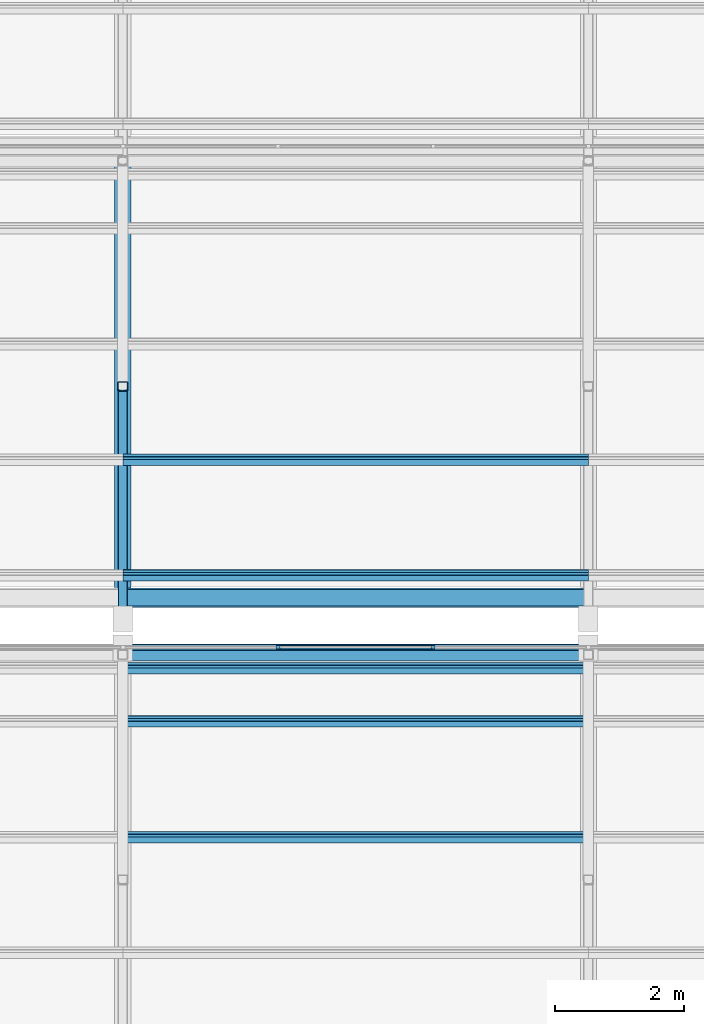
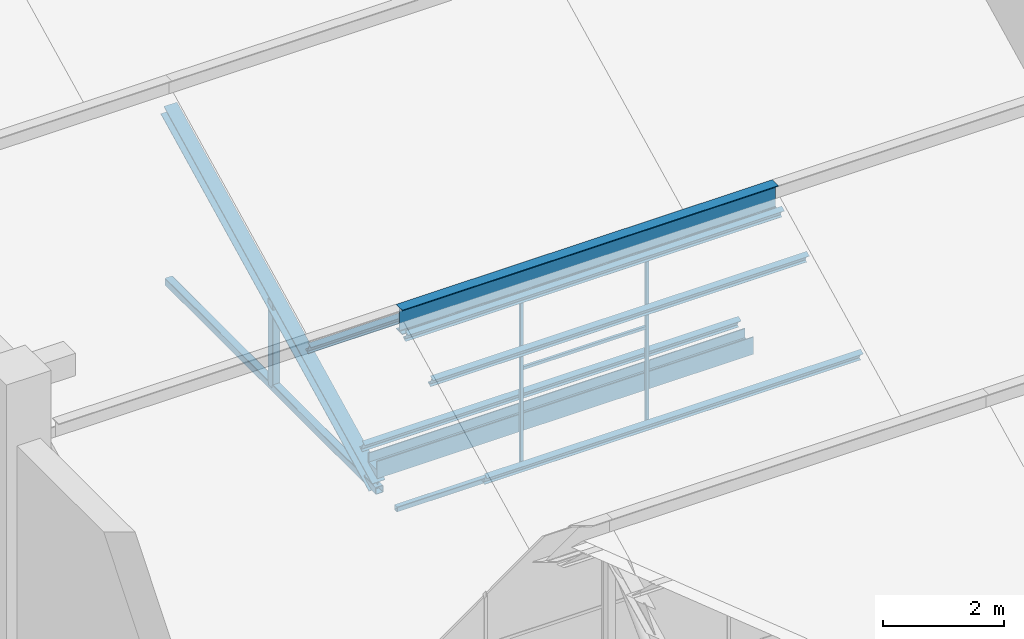
# One storey, part 34 of 83: 14 members, 1 element without a shape of its own.
"""IFC4 building model written with IfcOpenShell, lengths in metres."""

from ifc_helpers import new_model, si_unit, direction, frame, origin, origin_2d, place, context, subcontext, project, spatial, polyline, rectangle, hollow_rectangle, i_section, outline, extrude, material, material_profile, profile_set, type_object, element, aggregate, save


model = new_model("IFC4")

# Units and contexts
model_context = context("Model", 3, precision=1e-05, world=origin(), true_north=direction((0.0, 1.0)))
body_context = subcontext(model_context, "Body", "Model", "MODEL_VIEW")
ifc_project = project(units=[si_unit("LENGTHUNIT", "METRE"), si_unit("AREAUNIT", "SQUARE_METRE"), si_unit("VOLUMEUNIT", "CUBIC_METRE"), si_unit("PLANEANGLEUNIT", "RADIAN"), si_unit("MASSUNIT", "GRAM", prefix="KILO")], contexts=[model_context])

# Site, building, storey
site_placement = place(None, origin())
site = spatial("IfcSite", under=ifc_project, at=site_placement, CompositionType="ELEMENT")
building_placement = place(site_placement, origin())
building = spatial("IfcBuilding", under=site, at=building_placement, Name="Silangan Lancet Faculty of Sciences", CompositionType="ELEMENT")
storey_placement = place(building_placement, frame((0.0, 0.0, 11.39990234375)))
storey = spatial("IfcBuildingStorey", under=building, at=storey_placement, Name="L02", CompositionType="ELEMENT", Elevation=11.39990234375)

# Members
ifc_material_1 = material(Name="Steel SS400", Category="steel")
ifc_material_profile_1 = material_profile(ifc_material_1, i_section(OverallWidth=0.199951171875, OverallDepth=0.5, WebThickness=0.010009765625, FlangeThickness=0.01611328125, FilletRadius=0.02001953125, at=origin_2d()), Name="H 500x200x10x16")
ifc_profile_set_1 = profile_set([ifc_material_profile_1], Name="Steel SS400")
member_type_1 = type_object("IfcMemberType", Name="Exposed ridge beam H 500x200x10x16", PredefinedType="MEMBER", material=ifc_profile_set_1)
member_1_placement = place(storey_placement, frame((57.60009765625, 35.77001953125, 3.93701171875), z_axis=(1.0, 0.0, 0.0), x_axis=(0.0, 1.0, 0.0)))
element("IfcMember", 1, at=member_1_placement, inside=storey, type_object=member_type_1, Name="Exposed ridge beam AUD-2-2", PredefinedType="MEMBER", context=body_context, shape_type="SweptSolid", body=[
    extrude(i_section(OverallWidth=0.199951171875, OverallDepth=0.5, WebThickness=0.010009765625, FlangeThickness=0.01611328125, FilletRadius=0.02001953125, at=origin_2d()), origin(), (0.0, 0.0, 1.0), 7.199951171875),
])
ifc_material_2 = material(Name="Steel STKR400", Category="steel")
ifc_material_profile_2 = material_profile(ifc_material_2, hollow_rectangle(XDim=0.10009765625, YDim=0.10009765625, WallThickness=0.006103515625, InnerFilletRadius=0.006103515625, OuterFilletRadius=0.011962890625, at=origin_2d()), Name="SHS 100x100x6.0")
ifc_profile_set_2 = profile_set([ifc_material_profile_2], Name="Steel STKR400")
member_type_2 = type_object("IfcMemberType", Name="Light sill SHS 100x100x6.0", PredefinedType="MEMBER", material=ifc_profile_set_2)
member_2_placement = place(storey_placement, frame((57.60009765625, 35.885009765625, 0.050048828125), z_axis=(1.0, 0.0, 0.0), x_axis=(0.0, 1.0, 0.0)))
element("IfcMember", 2, at=member_2_placement, inside=storey, type_object=member_type_2, Name="North light sill AUD-2-2", PredefinedType="MEMBER", context=body_context, shape_type="SweptSolid", body=[
    extrude(hollow_rectangle(XDim=0.10009765625, YDim=0.10009765625, WallThickness=0.006103515625, InnerFilletRadius=0.006103515625, OuterFilletRadius=0.011962890625, at=origin_2d()), origin(), (0.0, 0.0, 1.0), 7.199951171875),
])

# Curtain wall, members
ifc_material_3 = material(Name="Aluminium and laminated glass", Category="aluminium")
curtain_wall_type = type_object("IfcCurtainWallType", Name="North light glazing system", PredefinedType="NOTDEFINED", material=ifc_material_3)
curtain_wall_placement = place(storey_placement, origin())
curtain_wall = element("IfcCurtainWall", 3, at=curtain_wall_placement, inside=storey, type_object=curtain_wall_type, Name="North light glazing AUD-2-2", PredefinedType="NOTDEFINED")
ifc_material_4 = material(Name="Aluminium 6063-T6", Category="aluminium")
ifc_material_profile_3 = material_profile(ifc_material_4, rectangle(XDim=0.06005859375, YDim=0.050048828125, at=origin_2d()), Name="AL 60x50")
ifc_profile_set_3 = profile_set([ifc_material_profile_3], Name="Aluminium 6063-T6")
member_type_3 = type_object("IfcMemberType", Name="North light mullion 60x50", PredefinedType="MULLION", material=ifc_profile_set_3)
member_3_placement = place(storey_placement, frame((60.0, 35.885009765625, 0.10009765625), z_axis=(0.0, 0.0, 1.0), x_axis=(1.0, 0.0, 0.0)))
member_3 = element("IfcMember", 4, at=member_3_placement, type_object=member_type_3, Name="North light mullion AUD-2-2 2", PredefinedType="MULLION", context=body_context, shape_type="SweptSolid", body=[
    extrude(rectangle(XDim=0.06005859375, YDim=0.050048828125, at=origin_2d()), origin(), (0.0, 0.0, 1.0), 3.887939453125),
])
member_4_placement = place(storey_placement, frame((62.39990234375, 35.885009765625, 0.10009765625), z_axis=(0.0, 0.0, 1.0), x_axis=(1.0, 0.0, 0.0)))
member_4 = element("IfcMember", 5, at=member_4_placement, type_object=member_type_3, Name="North light mullion AUD-2-2 3", PredefinedType="MULLION", context=body_context, shape_type="SweptSolid", body=[
    extrude(rectangle(XDim=0.06005859375, YDim=0.050048828125, at=origin_2d()), origin(), (0.0, 0.0, 1.0), 3.887939453125),
])
ifc_material_5 = material(Name="Aluminium 6063-T6", Category="aluminium")
ifc_material_profile_4 = material_profile(ifc_material_5, rectangle(XDim=0.050048828125, YDim=0.06005859375, at=origin_2d()), Name="AL 50x60")
ifc_profile_set_4 = profile_set([ifc_material_profile_4], Name="Aluminium 6063-T6")
member_type_4 = type_object("IfcMemberType", Name="North light transom 50x60", PredefinedType="USERDEFINED", material=ifc_profile_set_4)
member_5_placement = place(storey_placement, frame((60.030029296875, 35.885009765625, 2.044189453125), z_axis=(1.0, 0.0, 0.0), x_axis=(0.0, 1.0, 0.0)))
member_5 = element("IfcMember", 6, at=member_5_placement, type_object=member_type_4, Name="North light transom AUD-2-2 2", ObjectType="TRANSOM", PredefinedType="USERDEFINED", context=body_context, shape_type="SweptSolid", body=[
    extrude(rectangle(XDim=0.050048828125, YDim=0.06005859375, at=origin_2d()), origin(), (0.0, 0.0, 1.0), 2.340087890625),
])
aggregate(curtain_wall, [member_3, member_4, member_5])

# Members
ifc_material_6 = material(Name="Steel SS400", Category="steel")
ifc_material_profile_5 = material_profile(ifc_material_6, i_section(OverallWidth=0.10009765625, OverallDepth=0.199951171875, WebThickness=0.005615234375, FlangeThickness=0.008056640625, FilletRadius=0.008056640625, at=origin_2d()), Name="H 200x100x5.5x8")
ifc_profile_set_5 = profile_set([ifc_material_profile_5], Name="Steel SS400")
member_type_5 = type_object("IfcMemberType", Name="Sheeting purlin H 200x100x5.5x8", PredefinedType="PURLIN", material=ifc_profile_set_5)
for number, where, z_axis, x_axis, name in (
    (7, (57.60009765625, 36.9951171875, 0.6318359375), (1.0, 0.0, 0.0), (0.0, 0.894427192382, 0.447213592736), "Sheeting purlin NAB-1-5 1"),
    (8, (57.60009765625, 38.7841796875, 1.526123046875), (1.0, 0.0, 0.0), (0.0, 0.894427192382, 0.447213592736), "Sheeting purlin NAB-1-5 2"),
    (9, (57.60009765625, 32.947998046875, 2.420654296875), (1.0, 0.0, 0.0), (0.0, 0.894427192382, 0.447213592736), "Sheeting purlin AUD-2-2 3"),
    (10, (57.60009765625, 34.73681640625, 3.31494140625), (1.0, 0.0, 0.0), (0.0, 0.894427192382, 0.447213592736), "Sheeting purlin AUD-2-2 4"),
    (11, (57.60009765625, 35.56201171875, 3.727783203125), (1.0, 0.0, 0.0), (0.0, 0.894427192382, 0.447213592736), "Sheeting purlin AUD-2-2 5"),
):
    element("IfcMember", number, at=place(storey_placement, frame(where, z_axis=z_axis, x_axis=x_axis)), inside=storey, type_object=member_type_5, Name=name, PredefinedType="PURLIN", context=body_context, shape_type="SweptSolid", body=[
        extrude(i_section(OverallWidth=0.10009765625, OverallDepth=0.199951171875, WebThickness=0.005615234375, FlangeThickness=0.008056640625, FilletRadius=0.008056640625, at=origin_2d()), origin(), (0.0, 0.0, 1.0), 7.199951171875),
    ])
ifc_material_7 = material(Name="Steel STKR400", Category="steel")
ifc_material_profile_6 = material_profile(ifc_material_7, hollow_rectangle(XDim=0.14990234375, YDim=0.14990234375, WallThickness=0.009033203125, InnerFilletRadius=0.009033203125, OuterFilletRadius=0.01806640625, at=origin_2d()), Name="SHS 150x150x9.0")
ifc_profile_set_6 = profile_set([ifc_material_profile_6], Name="Steel STKR400")
member_type_6 = type_object("IfcMemberType", Name="Truss bottom chord SHS 150x150x9.0", PredefinedType="CHORD", material=ifc_profile_set_6)
member_6_placement = place(storey_placement, frame((57.60009765625, 36.425048828125, 0.09521484375), z_axis=(0.0, 1.0, 0.0), x_axis=(-1.0, 0.0, 0.0)))
element("IfcMember", 12, at=member_6_placement, inside=storey, type_object=member_type_6, Name="Truss 5 bottom chord 1", PredefinedType="CHORD", context=body_context, shape_type="SweptSolid", body=[
    extrude(hollow_rectangle(XDim=0.14990234375, YDim=0.14990234375, WallThickness=0.009033203125, InnerFilletRadius=0.009033203125, OuterFilletRadius=0.01806640625, at=origin_2d()), origin(), (0.0, 0.0, 1.0), 6.981689453125),
])
ifc_material_8 = material(Name="Steel STKR400", Category="steel")
ifc_material_profile_7 = material_profile(ifc_material_8, hollow_rectangle(XDim=0.14990234375, YDim=0.14990234375, WallThickness=0.006103515625, InnerFilletRadius=0.006103515625, OuterFilletRadius=0.011962890625, at=origin_2d()), Name="SHS 150x150x6.0")
ifc_profile_set_7 = profile_set([ifc_material_profile_7], Name="Steel STKR400")
member_type_7 = type_object("IfcMemberType", Name="Truss post SHS 150x150x6.0", PredefinedType="POST", material=ifc_profile_set_7)
member_7_placement = place(storey_placement, frame((57.60009765625, 39.915771484375, 0.09521484375), z_axis=(0.0, 0.0, 1.0), x_axis=(1.0, 0.0, 0.0)))
element("IfcMember", 13, at=member_7_placement, inside=storey, type_object=member_type_7, Name="Truss 5 mid post 1", PredefinedType="POST", context=body_context, shape_type="SweptSolid", body=[
    extrude(hollow_rectangle(XDim=0.14990234375, YDim=0.14990234375, WallThickness=0.006103515625, InnerFilletRadius=0.006103515625, OuterFilletRadius=0.011962890625, at=origin_2d()), origin(), (0.0, 0.0, 1.0), 1.745361328125),
])
ifc_material_9 = material(Name="Steel SS400", Category="steel")
ifc_material_profile_8 = material_profile(ifc_material_9, i_section(OverallWidth=0.25, OverallDepth=0.25, WebThickness=0.009033203125, FlangeThickness=0.013916015625, FilletRadius=0.01611328125, at=origin_2d()), Name="H 250x250x9x14")
ifc_profile_set_8 = profile_set([ifc_material_profile_8], Name="Steel SS400")
member_type_8 = type_object("IfcMemberType", Name="Truss top chord H 250x250x9x14", PredefinedType="CHORD", material=ifc_profile_set_8)
member_8_placement = place(storey_placement, frame((57.60009765625, 36.505615234375, 0.13525390625), z_axis=(0.0, 0.894420862535, 0.447226252205), x_axis=(-1.0, 0.0, 0.0)))
element("IfcMember", 14, at=member_8_placement, inside=storey, type_object=member_type_8, Name="Truss 5 top chord 1", PredefinedType="CHORD", context=body_context, shape_type="SweptSolid", body=[
    extrude(i_section(OverallWidth=0.25, OverallDepth=0.25, WebThickness=0.009033203125, FlangeThickness=0.013916015625, FilletRadius=0.01611328125, at=origin_2d()), origin(), (0.0, 0.0, 1.0), 7.7158203125),
])
ifc_material_10 = material(Name="Stainless steel", Category="steel")
ifc_material_profile_9 = material_profile(ifc_material_10, outline(polyline([(-0.14990234375, 0.0), (0.14990234375, 0.14990234375), (0.14990234375, 0.35009765625), (0.1298828125, 0.35009765625), (0.1298828125, 0.169921875), (-0.1298828125, 0.169921875), (-0.1298828125, 0.35009765625), (-0.14990234375, 0.35009765625), (-0.14990234375, 0.0)])), Name="valley gutter")
ifc_profile_set_9 = profile_set([ifc_material_profile_9], Name="Stainless steel")
member_type_9 = type_object("IfcMemberType", Name="Valley gutter 300 wide", PredefinedType="USERDEFINED", material=ifc_profile_set_9)
member_9_placement = place(storey_placement, frame((57.60009765625, 36.64990234375, 0.2724609375), z_axis=(1.0, 0.0, 0.0), x_axis=(0.0, 1.0, 0.0)))
element("IfcMember", 15, at=member_9_placement, inside=storey, type_object=member_type_9, Name="Valley gutter NAB-1-5", ObjectType="GUTTER", PredefinedType="USERDEFINED", context=body_context, shape_type="SweptSolid", body=[
    extrude(outline(polyline([(-0.14990234375, 0.0), (0.14990234375, 0.14990234375), (0.14990234375, 0.35009765625), (0.1298828125, 0.35009765625), (0.1298828125, 0.169921875), (-0.1298828125, 0.169921875), (-0.1298828125, 0.35009765625), (-0.14990234375, 0.35009765625), (-0.14990234375, 0.0)])), origin(), (0.0, 0.0, 1.0), 7.199951171875),
])

save(model, "model.ifc")
